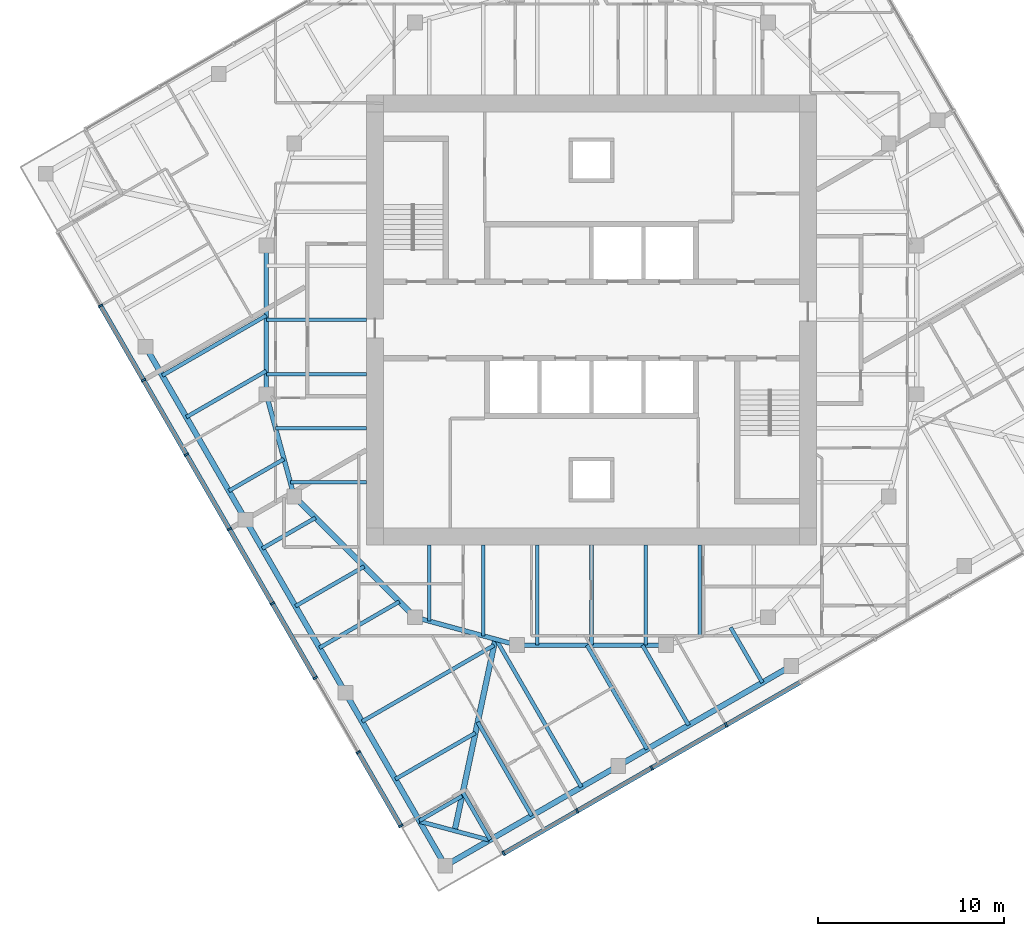
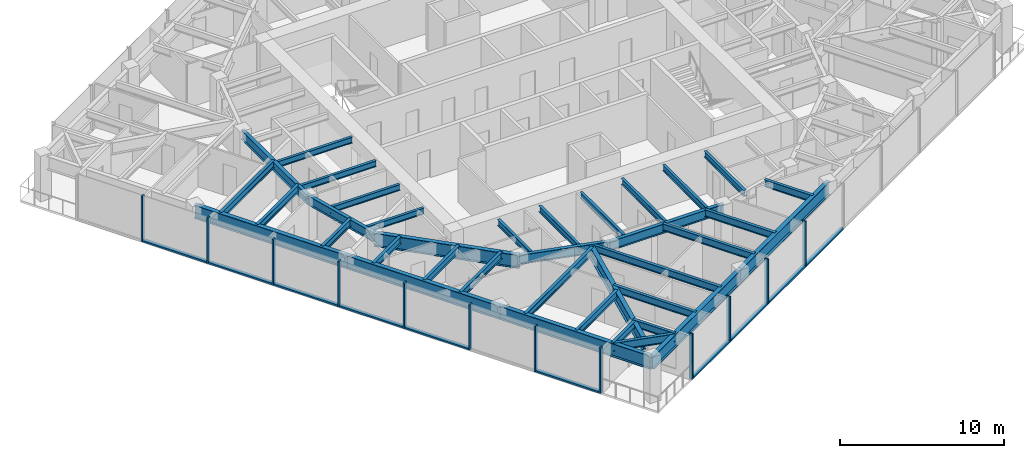
# One storey, part 2 of 13: 37 beams, 22 members, 2 elements without a shape of their own.
"""IFC4 building model written with IfcOpenShell, lengths in metres."""

from ifc_helpers import new_model, si_unit, direction, frame, origin, origin_2d, place, context, subcontext, project, spatial, rectangle, i_section, extrude, material, material_profile, profile_set, type_object, element, aggregate, save


model = new_model("IFC4")

# Units and contexts
model_context = context("Model", 3, precision=1e-05, world=origin(), true_north=direction((0.0, 1.0)))
body_context = subcontext(model_context, "Body", "Model", "MODEL_VIEW")
ifc_project = project(units=[si_unit("LENGTHUNIT", "METRE"), si_unit("AREAUNIT", "SQUARE_METRE"), si_unit("VOLUMEUNIT", "CUBIC_METRE"), si_unit("PLANEANGLEUNIT", "RADIAN"), si_unit("MASSUNIT", "GRAM", prefix="KILO")], contexts=[model_context])

# Site, building, storey
site_placement = place(None, origin())
site = spatial("IfcSite", under=ifc_project, at=site_placement, CompositionType="ELEMENT")
building_placement = place(site_placement, origin())
building = spatial("IfcBuilding", under=site, at=building_placement, Name="Torsade Residences", CompositionType="ELEMENT")
storey_placement = place(building_placement, frame((0.0, 0.0, 208.199951171875)))
storey = spatial("IfcBuildingStorey", under=building, at=storey_placement, Name="L57", CompositionType="ELEMENT", Elevation=208.199951171875)

# Beams
ifc_material_1 = material(Name="Steel grade 300", Category="steel")
ifc_material_profile_1 = material_profile(ifc_material_1, i_section(OverallWidth=0.300048828125, OverallDepth=0.89990234375, WebThickness=0.011962890625, FlangeThickness=0.02490234375, at=origin_2d()), Name="900WB175")
ifc_profile_set_1 = profile_set([ifc_material_profile_1], Name="Steel grade 300")
beam_type_1 = type_object("IfcBeamType", Name="CORNER GIRDER 900WB175", PredefinedType="BEAM", material=ifc_profile_set_1)
beam_1_placement = place(storey_placement, frame((32.6337890625, 2.5087890625, 2.800048828125), z_axis=(0.20806427425, 0.978115155685, 0.0), x_axis=(-0.978115155685, 0.20806427425, 0.0)))
element("IfcBeam", 1, at=beam_1_placement, inside=storey, type_object=beam_type_1, Name="Corner girder 01 L58", PredefinedType="BEAM", context=body_context, shape_type="SweptSolid", body=[
    extrude(i_section(OverallWidth=0.300048828125, OverallDepth=0.89990234375, WebThickness=0.011962890625, FlangeThickness=0.02490234375, at=origin_2d()), origin(), (0.0, 0.0, 1.0), 10.541748046875),
])
ifc_material_2 = material(Name="Steel grade 300", Category="steel")
ifc_material_profile_2 = material_profile(ifc_material_2, i_section(OverallWidth=0.22802734375, OverallDepth=0.60205078125, WebThickness=0.010498046875, FlangeThickness=0.014892578125, FilletRadius=0.013916015625, at=origin_2d()), Name="610UB101")
ifc_profile_set_2 = profile_set([ifc_material_profile_2], Name="Steel grade 300")
beam_type_2 = type_object("IfcBeamType", Name="CORNER TRIMMER 610UB101", PredefinedType="BEAM", material=ifc_profile_set_2)
beam_2_placement = place(storey_placement, frame((34.511962890625, 2.00537109375, 2.948974609375), z_axis=(-0.965924794002, 0.258822897619, 0.0), x_axis=(-0.258822897619, -0.965924794002, 0.0)))
element("IfcBeam", 2, at=beam_2_placement, inside=storey, type_object=beam_type_2, Name="Corner trimmer 01 L58", PredefinedType="BEAM", context=body_context, shape_type="SweptSolid", body=[
    extrude(i_section(OverallWidth=0.22802734375, OverallDepth=0.60205078125, WebThickness=0.010498046875, FlangeThickness=0.014892578125, FilletRadius=0.013916015625, at=origin_2d()), origin(), (0.0, 0.0, 1.0), 3.88916015625),
])
ifc_material_3 = material(Name="Steel grade 300", Category="steel")
ifc_material_profile_3 = material_profile(ifc_material_3, i_section(OverallWidth=0.300048828125, OverallDepth=1.0, WebThickness=0.01611328125, FlangeThickness=0.028076171875, at=origin_2d()), Name="1000WB215")
ifc_profile_set_3 = profile_set([ifc_material_profile_3], Name="Steel grade 300")
beam_type_3 = type_object("IfcBeamType", Name="EDGE BEAM 1000WB215", PredefinedType="SPANDREL", material=ifc_profile_set_3)
for number, where, z_axis, x_axis, name in (
    (3, (32.13037109375, 0.63037109375, 2.75), (0.866026365697, 0.499998333915, 0.0), (-0.499998333915, 0.866026365697, 0.0), "Edge beam 01 L58"),
    (4, (41.440185546875, 6.00537109375, 2.75), (0.866026365697, 0.499998333915, 0.0), (-0.499998333915, 0.866026365697, 0.0), "Edge beam 02 L58"),
    (5, (16.00537109375, 28.559814453125, 2.75), (0.499998333915, -0.866026365697, 0.0), (0.866026365697, 0.499998333915, 0.0), "Edge beam 14 L58"),
    (6, (21.38037109375, 19.25, 2.75), (0.499998333915, -0.866026365697, 0.0), (0.866026365697, 0.499998333915, 0.0), "Edge beam 15 L58"),
    (7, (26.75537109375, 9.940185546875, 2.75), (0.499998333915, -0.866026365697, 0.0), (0.866026365697, 0.499998333915, 0.0), "Edge beam 16 L58"),
):
    element("IfcBeam", number, at=place(storey_placement, frame(where, z_axis=z_axis, x_axis=x_axis)), inside=storey, type_object=beam_type_3, Name=name, PredefinedType="SPANDREL", context=body_context, shape_type="SweptSolid", body=[
        extrude(i_section(OverallWidth=0.300048828125, OverallDepth=1.0, WebThickness=0.01611328125, FlangeThickness=0.028076171875, at=origin_2d()), origin(), (0.0, 0.0, 1.0), 10.75),
    ])

# Curtain wall, members
ifc_material_4 = material(Name="Aluminium and glass", Category="aluminium")
curtain_wall_type = type_object("IfcCurtainWallType", Name="FRITTED GLASS CURTAIN WALL HIGH ZONE", PredefinedType="NOTDEFINED", material=ifc_material_4)
curtain_wall_1_placement = place(storey_placement, origin())
curtain_wall_1 = element("IfcCurtainWall", 8, at=curtain_wall_1_placement, inside=storey, type_object=curtain_wall_type, Name="Curtain wall L57 face 1", PredefinedType="NOTDEFINED")
ifc_material_5 = material(Name="Aluminium mullion", Category="aluminium")
ifc_material_profile_4 = material_profile(ifc_material_5, rectangle(XDim=0.25, YDim=0.10009765625, at=origin_2d()), Name="HIGH ZONE CURTAIN WALL MULLION 250x100")
ifc_profile_set_4 = profile_set([ifc_material_profile_4], Name="Aluminium mullion")
member_type_1 = type_object("IfcMemberType", Name="HIGH ZONE CURTAIN WALL MULLION 250x100", PredefinedType="MULLION", material=ifc_profile_set_4)
member_1_placement = place(storey_placement, frame((35.271728515625, 1.289306640625, 0.0), z_axis=(0.0, 0.0, 1.0), x_axis=(-0.499999999305, 0.866025404186, 0.0)))
member_1 = element("IfcMember", 9, at=member_1_placement, type_object=member_type_1, Name="Mullion 1", PredefinedType="MULLION", context=body_context, shape_type="SweptSolid", body=[
    extrude(rectangle(XDim=0.25, YDim=0.10009765625, at=origin_2d()), origin(), (0.0, 0.0, 1.0), 3.400146484375),
])
member_2_placement = place(storey_placement, frame((39.23388671875, 3.576904296875, 0.0), z_axis=(0.0, 0.0, 1.0), x_axis=(-0.499999999305, 0.866025404186, 0.0)))
member_2 = element("IfcMember", 10, at=member_2_placement, type_object=member_type_1, Name="Mullion 2", PredefinedType="MULLION", context=body_context, shape_type="SweptSolid", body=[
    extrude(rectangle(XDim=0.25, YDim=0.10009765625, at=origin_2d()), origin(), (0.0, 0.0, 1.0), 3.400146484375),
])
member_3_placement = place(storey_placement, frame((43.2392578125, 5.889404296875, 0.0), z_axis=(0.0, 0.0, 1.0), x_axis=(-0.499999999305, 0.866025404186, 0.0)))
member_3 = element("IfcMember", 11, at=member_3_placement, type_object=member_type_1, Name="Mullion 3", PredefinedType="MULLION", context=body_context, shape_type="SweptSolid", body=[
    extrude(rectangle(XDim=0.25, YDim=0.10009765625, at=origin_2d()), origin(), (0.0, 0.0, 1.0), 3.400146484375),
])
member_4_placement = place(storey_placement, frame((47.24462890625, 8.201904296875, 0.0), z_axis=(0.0, 0.0, 1.0), x_axis=(-0.499999999305, 0.866025404186, 0.0)))
member_4 = element("IfcMember", 12, at=member_4_placement, type_object=member_type_1, Name="Mullion 4", PredefinedType="MULLION", context=body_context, shape_type="SweptSolid", body=[
    extrude(rectangle(XDim=0.25, YDim=0.10009765625, at=origin_2d()), origin(), (0.0, 0.0, 1.0), 3.400146484375),
])

curtain_wall_2_placement = place(storey_placement, origin())
curtain_wall_2 = element("IfcCurtainWall", 13, at=curtain_wall_2_placement, inside=storey, type_object=curtain_wall_type, Name="Curtain wall L57 face 10", PredefinedType="NOTDEFINED")
member_5_placement = place(storey_placement, frame((13.576904296875, 30.76611328125, 0.0), z_axis=(0.0, 0.0, 1.0), x_axis=(0.866025404186, 0.499999999305, 0.0)))
member_5 = element("IfcMember", 14, at=member_5_placement, type_object=member_type_1, Name="Mullion 2", PredefinedType="MULLION", context=body_context, shape_type="SweptSolid", body=[
    extrude(rectangle(XDim=0.25, YDim=0.10009765625, at=origin_2d()), origin(), (0.0, 0.0, 1.0), 3.400146484375),
])
member_6_placement = place(storey_placement, frame((15.889404296875, 26.7607421875, 0.0), z_axis=(0.0, 0.0, 1.0), x_axis=(0.866025404186, 0.499999999305, 0.0)))
member_6 = element("IfcMember", 15, at=member_6_placement, type_object=member_type_1, Name="Mullion 3", PredefinedType="MULLION", context=body_context, shape_type="SweptSolid", body=[
    extrude(rectangle(XDim=0.25, YDim=0.10009765625, at=origin_2d()), origin(), (0.0, 0.0, 1.0), 3.400146484375),
])
member_7_placement = place(storey_placement, frame((18.201904296875, 22.75537109375, 0.0), z_axis=(0.0, 0.0, 1.0), x_axis=(0.866025404186, 0.499999999305, 0.0)))
member_7 = element("IfcMember", 16, at=member_7_placement, type_object=member_type_1, Name="Mullion 4", PredefinedType="MULLION", context=body_context, shape_type="SweptSolid", body=[
    extrude(rectangle(XDim=0.25, YDim=0.10009765625, at=origin_2d()), origin(), (0.0, 0.0, 1.0), 3.400146484375),
])
member_8_placement = place(storey_placement, frame((20.514404296875, 18.75, 0.0), z_axis=(0.0, 0.0, 1.0), x_axis=(0.866025404186, 0.499999999305, 0.0)))
member_8 = element("IfcMember", 17, at=member_8_placement, type_object=member_type_1, Name="Mullion 5", PredefinedType="MULLION", context=body_context, shape_type="SweptSolid", body=[
    extrude(rectangle(XDim=0.25, YDim=0.10009765625, at=origin_2d()), origin(), (0.0, 0.0, 1.0), 3.400146484375),
])
member_9_placement = place(storey_placement, frame((22.826904296875, 14.74462890625, 0.0), z_axis=(0.0, 0.0, 1.0), x_axis=(0.866025404186, 0.499999999305, 0.0)))
member_9 = element("IfcMember", 18, at=member_9_placement, type_object=member_type_1, Name="Mullion 6", PredefinedType="MULLION", context=body_context, shape_type="SweptSolid", body=[
    extrude(rectangle(XDim=0.25, YDim=0.10009765625, at=origin_2d()), origin(), (0.0, 0.0, 1.0), 3.400146484375),
])
member_10_placement = place(storey_placement, frame((25.139404296875, 10.7392578125, 0.0), z_axis=(0.0, 0.0, 1.0), x_axis=(0.866025404186, 0.499999999305, 0.0)))
member_10 = element("IfcMember", 19, at=member_10_placement, type_object=member_type_1, Name="Mullion 7", PredefinedType="MULLION", context=body_context, shape_type="SweptSolid", body=[
    extrude(rectangle(XDim=0.25, YDim=0.10009765625, at=origin_2d()), origin(), (0.0, 0.0, 1.0), 3.400146484375),
])
member_11_placement = place(storey_placement, frame((27.451904296875, 6.73388671875, 0.0), z_axis=(0.0, 0.0, 1.0), x_axis=(0.866025404186, 0.499999999305, 0.0)))
member_11 = element("IfcMember", 20, at=member_11_placement, type_object=member_type_1, Name="Mullion 8", PredefinedType="MULLION", context=body_context, shape_type="SweptSolid", body=[
    extrude(rectangle(XDim=0.25, YDim=0.10009765625, at=origin_2d()), origin(), (0.0, 0.0, 1.0), 3.400146484375),
])
member_12_placement = place(storey_placement, frame((29.739501953125, 2.771728515625, 0.0), z_axis=(0.0, 0.0, 1.0), x_axis=(0.866025404186, 0.499999999305, 0.0)))
member_12 = element("IfcMember", 21, at=member_12_placement, type_object=member_type_1, Name="Mullion 9", PredefinedType="MULLION", context=body_context, shape_type="SweptSolid", body=[
    extrude(rectangle(XDim=0.25, YDim=0.10009765625, at=origin_2d()), origin(), (0.0, 0.0, 1.0), 3.400146484375),
])

# Member
ifc_material_6 = material(Name="Aluminium transom", Category="aluminium")
ifc_material_profile_5 = material_profile(ifc_material_6, rectangle(XDim=0.25, YDim=0.1201171875, at=origin_2d()), Name="HIGH ZONE CURTAIN WALL TRANSOM 250x120")
ifc_profile_set_5 = profile_set([ifc_material_profile_5], Name="Aluminium transom")
member_type_2 = type_object("IfcMemberType", Name="HIGH ZONE CURTAIN WALL TRANSOM 250x120", PredefinedType="USERDEFINED", material=ifc_profile_set_5)
member_13_placement = place(storey_placement, frame((35.315185546875, 1.314453125, 0.06005859375), z_axis=(0.866022053326, 0.50000580312, 0.0), x_axis=(-0.50000580312, 0.866022053326, 0.0)))
member_13 = element("IfcMember", 22, at=member_13_placement, type_object=member_type_2, Name="Transom 1.1", ObjectType="TRANSOM", PredefinedType="USERDEFINED", context=body_context, shape_type="SweptSolid", body=[
    extrude(rectangle(XDim=0.25, YDim=0.1201171875, at=origin_2d()), origin(), (0.0, 0.0, 1.0), 4.47509765625),
])

member_14_placement = place(storey_placement, frame((39.277099609375, 3.601806640625, 0.06005859375), z_axis=(0.866016678684, 0.500015112013, 0.0), x_axis=(-0.500015112013, 0.866016678684, 0.0)))
member_14 = element("IfcMember", 23, at=member_14_placement, type_object=member_type_2, Name="Transom 2.1", ObjectType="TRANSOM", PredefinedType="USERDEFINED", context=body_context, shape_type="SweptSolid", body=[
    extrude(rectangle(XDim=0.25, YDim=0.1201171875, at=origin_2d()), origin(), (0.0, 0.0, 1.0), 4.525146484375),
])

member_15_placement = place(storey_placement, frame((43.282470703125, 5.914306640625, 0.06005859375), z_axis=(0.866016678684, 0.500015112013, 0.0), x_axis=(-0.500015112013, 0.866016678684, 0.0)))
member_15 = element("IfcMember", 24, at=member_15_placement, type_object=member_type_2, Name="Transom 3.1", ObjectType="TRANSOM", PredefinedType="USERDEFINED", context=body_context, shape_type="SweptSolid", body=[
    extrude(rectangle(XDim=0.25, YDim=0.1201171875, at=origin_2d()), origin(), (0.0, 0.0, 1.0), 4.525146484375),
])

member_16_placement = place(storey_placement, frame((47.287841796875, 8.226806640625, 0.06005859375), z_axis=(0.866016678684, 0.500015112013, 0.0), x_axis=(-0.500015112013, 0.866016678684, 0.0)))
member_16 = element("IfcMember", 25, at=member_16_placement, type_object=member_type_2, Name="Transom 4.1", ObjectType="TRANSOM", PredefinedType="USERDEFINED", context=body_context, shape_type="SweptSolid", body=[
    extrude(rectangle(XDim=0.25, YDim=0.1201171875, at=origin_2d()), origin(), (0.0, 0.0, 1.0), 4.525146484375),
])

aggregate(curtain_wall_1, [member_1, member_2, member_3, member_4, member_13, member_14, member_15, member_16])

member_17_placement = place(storey_placement, frame((13.601806640625, 30.722900390625, 0.06005859375), z_axis=(0.500015112013, -0.866016678684, 0.0), x_axis=(0.866016678684, 0.500015112013, 0.0)))
member_17 = element("IfcMember", 26, at=member_17_placement, type_object=member_type_2, Name="Transom 2.1", ObjectType="TRANSOM", PredefinedType="USERDEFINED", context=body_context, shape_type="SweptSolid", body=[
    extrude(rectangle(XDim=0.25, YDim=0.1201171875, at=origin_2d()), origin(), (0.0, 0.0, 1.0), 4.525146484375),
])

member_18_placement = place(storey_placement, frame((15.914306640625, 26.717529296875, 0.06005859375), z_axis=(0.500015112013, -0.866016678684, 0.0), x_axis=(0.866016678684, 0.500015112013, 0.0)))
member_18 = element("IfcMember", 27, at=member_18_placement, type_object=member_type_2, Name="Transom 3.1", ObjectType="TRANSOM", PredefinedType="USERDEFINED", context=body_context, shape_type="SweptSolid", body=[
    extrude(rectangle(XDim=0.25, YDim=0.1201171875, at=origin_2d()), origin(), (0.0, 0.0, 1.0), 4.525146484375),
])

member_19_placement = place(storey_placement, frame((18.226806640625, 22.712158203125, 0.06005859375), z_axis=(0.500015112013, -0.866016678684, 0.0), x_axis=(0.866016678684, 0.500015112013, 0.0)))
member_19 = element("IfcMember", 28, at=member_19_placement, type_object=member_type_2, Name="Transom 4.1", ObjectType="TRANSOM", PredefinedType="USERDEFINED", context=body_context, shape_type="SweptSolid", body=[
    extrude(rectangle(XDim=0.25, YDim=0.1201171875, at=origin_2d()), origin(), (0.0, 0.0, 1.0), 4.525146484375),
])

member_20_placement = place(storey_placement, frame((20.539306640625, 18.706787109375, 0.06005859375), z_axis=(0.500015112013, -0.866016678684, 0.0), x_axis=(0.866016678684, 0.500015112013, 0.0)))
member_20 = element("IfcMember", 29, at=member_20_placement, type_object=member_type_2, Name="Transom 5.1", ObjectType="TRANSOM", PredefinedType="USERDEFINED", context=body_context, shape_type="SweptSolid", body=[
    extrude(rectangle(XDim=0.25, YDim=0.1201171875, at=origin_2d()), origin(), (0.0, 0.0, 1.0), 4.525146484375),
])

member_21_placement = place(storey_placement, frame((22.851806640625, 14.701416015625, 0.06005859375), z_axis=(0.500015112013, -0.866016678684, 0.0), x_axis=(0.866016678684, 0.500015112013, 0.0)))
member_21 = element("IfcMember", 30, at=member_21_placement, type_object=member_type_2, Name="Transom 6.1", ObjectType="TRANSOM", PredefinedType="USERDEFINED", context=body_context, shape_type="SweptSolid", body=[
    extrude(rectangle(XDim=0.25, YDim=0.1201171875, at=origin_2d()), origin(), (0.0, 0.0, 1.0), 4.525146484375),
])

member_22_placement = place(storey_placement, frame((27.476806640625, 6.690673828125, 0.06005859375), z_axis=(0.50000580312, -0.866022053326, 0.0), x_axis=(0.866022053326, 0.50000580312, 0.0)))
member_22 = element("IfcMember", 31, at=member_22_placement, type_object=member_type_2, Name="Transom 8.1", ObjectType="TRANSOM", PredefinedType="USERDEFINED", context=body_context, shape_type="SweptSolid", body=[
    extrude(rectangle(XDim=0.25, YDim=0.1201171875, at=origin_2d()), origin(), (0.0, 0.0, 1.0), 4.47509765625),
])

aggregate(curtain_wall_2, [member_5, member_6, member_7, member_8, member_9, member_10, member_11, member_12, member_17, member_18, member_19, member_20, member_21, member_22])

# Beams
ifc_material_7 = material(Name="Steel grade 300", Category="steel")
ifc_material_profile_6 = material_profile(ifc_material_7, i_section(OverallWidth=0.18994140625, OverallDepth=0.4541015625, WebThickness=0.008544921875, FlangeThickness=0.0126953125, FilletRadius=0.011474609375, at=origin_2d()), Name="460UB67.1")
ifc_profile_set_6 = profile_set([ifc_material_profile_6], Name="Steel grade 300")
beam_type_4 = type_object("IfcBeamType", Name="INNER FLOOR BEAM 460UB67.1", PredefinedType="JOIST", material=ifc_profile_set_6)
beam_3_placement = place(storey_placement, frame((45.824951171875, 17.89990234375, 3.02294921875), z_axis=(0.0, -1.0, 0.0), x_axis=(1.0, 0.0, 0.0)))
element("IfcBeam", 32, at=beam_3_placement, inside=storey, type_object=beam_type_4, Name="Inner floor beam IS02 L58", PredefinedType="JOIST", context=body_context, shape_type="SweptSolid", body=[
    extrude(i_section(OverallWidth=0.18994140625, OverallDepth=0.4541015625, WebThickness=0.008544921875, FlangeThickness=0.0126953125, FilletRadius=0.011474609375, at=origin_2d()), origin(), (0.0, 0.0, 1.0), 4.902099609375),
])
for number, where, z_axis, x_axis, name in (
    (33, (42.91259765625, 17.89990234375, 3.02294921875), (0.0, -1.0, 0.0), (1.0, 0.0, 0.0), "Inner floor beam IS03 L58"),
    (34, (40.0, 17.89990234375, 3.02294921875), (0.0, -1.0, 0.0), (1.0, 0.0, 0.0), "Inner floor beam IS04 L58"),
    (35, (37.08740234375, 17.89990234375, 3.02294921875), (0.0, -1.0, 0.0), (1.0, 0.0, 0.0), "Inner floor beam IS05 L58"),
):
    element("IfcBeam", number, at=place(storey_placement, frame(where, z_axis=z_axis, x_axis=x_axis)), inside=storey, type_object=beam_type_4, Name=name, PredefinedType="JOIST", context=body_context, shape_type="SweptSolid", body=[
        extrude(i_section(OverallWidth=0.18994140625, OverallDepth=0.4541015625, WebThickness=0.008544921875, FlangeThickness=0.0126953125, FilletRadius=0.011474609375, at=origin_2d()), origin(), (0.0, 0.0, 1.0), 5.39990234375),
    ])
beam_4_placement = place(storey_placement, frame((34.175048828125, 17.89990234375, 3.02294921875), z_axis=(0.0, -1.0, 0.0), x_axis=(1.0, 0.0, 0.0)))
element("IfcBeam", 36, at=beam_4_placement, inside=storey, type_object=beam_type_4, Name="Inner floor beam IS06 L58", PredefinedType="JOIST", context=body_context, shape_type="SweptSolid", body=[
    extrude(i_section(OverallWidth=0.18994140625, OverallDepth=0.4541015625, WebThickness=0.008544921875, FlangeThickness=0.0126953125, FilletRadius=0.011474609375, at=origin_2d()), origin(), (0.0, 0.0, 1.0), 4.902099609375),
])
beam_5_placement = place(storey_placement, frame((31.262451171875, 17.89990234375, 3.02294921875), z_axis=(0.0, -1.0, 0.0), x_axis=(1.0, 0.0, 0.0)))
element("IfcBeam", 37, at=beam_5_placement, inside=storey, type_object=beam_type_4, Name="Inner floor beam IS07 L58", PredefinedType="JOIST", context=body_context, shape_type="SweptSolid", body=[
    extrude(i_section(OverallWidth=0.18994140625, OverallDepth=0.4541015625, WebThickness=0.008544921875, FlangeThickness=0.0126953125, FilletRadius=0.011474609375, at=origin_2d()), origin(), (0.0, 0.0, 1.0), 4.10791015625),
])
for number, where, z_axis, x_axis, name in (
    (38, (27.89990234375, 30.0, 3.02294921875), (-1.0, 0.0, 0.0), (0.0, -1.0, 0.0), "Inner floor beam IW04 L58"),
    (39, (27.89990234375, 27.08740234375, 3.02294921875), (-1.0, 0.0, 0.0), (0.0, -1.0, 0.0), "Inner floor beam IW05 L58"),
):
    element("IfcBeam", number, at=place(storey_placement, frame(where, z_axis=z_axis, x_axis=x_axis)), inside=storey, type_object=beam_type_4, Name=name, PredefinedType="JOIST", context=body_context, shape_type="SweptSolid", body=[
        extrude(i_section(OverallWidth=0.18994140625, OverallDepth=0.4541015625, WebThickness=0.008544921875, FlangeThickness=0.0126953125, FilletRadius=0.011474609375, at=origin_2d()), origin(), (0.0, 0.0, 1.0), 5.39990234375),
    ])
beam_6_placement = place(storey_placement, frame((27.89990234375, 24.175048828125, 3.02294921875), z_axis=(-1.0, 0.0, 0.0), x_axis=(0.0, -1.0, 0.0)))
element("IfcBeam", 40, at=beam_6_placement, inside=storey, type_object=beam_type_4, Name="Inner floor beam IW06 L58", PredefinedType="JOIST", context=body_context, shape_type="SweptSolid", body=[
    extrude(i_section(OverallWidth=0.18994140625, OverallDepth=0.4541015625, WebThickness=0.008544921875, FlangeThickness=0.0126953125, FilletRadius=0.011474609375, at=origin_2d()), origin(), (0.0, 0.0, 1.0), 4.902099609375),
])
beam_7_placement = place(storey_placement, frame((27.89990234375, 21.262451171875, 3.02294921875), z_axis=(-1.0, 0.0, 0.0), x_axis=(0.0, -1.0, 0.0)))
element("IfcBeam", 41, at=beam_7_placement, inside=storey, type_object=beam_type_4, Name="Inner floor beam IW07 L58", PredefinedType="JOIST", context=body_context, shape_type="SweptSolid", body=[
    extrude(i_section(OverallWidth=0.18994140625, OverallDepth=0.4541015625, WebThickness=0.008544921875, FlangeThickness=0.0126953125, FilletRadius=0.011474609375, at=origin_2d()), origin(), (0.0, 0.0, 1.0), 4.10791015625),
])
ifc_material_8 = material(Name="Steel grade 300", Category="steel")
ifc_material_profile_7 = material_profile(ifc_material_8, i_section(OverallWidth=0.300048828125, OverallDepth=1.0, WebThickness=0.01611328125, FlangeThickness=0.028076171875, at=origin_2d()), Name="1000WB215")
ifc_profile_set_7 = profile_set([ifc_material_profile_7], Name="Steel grade 300")
beam_type_5 = type_object("IfcBeamType", Name="RING CORNER GIRDER 1000WB215", PredefinedType="BEAM", material=ifc_profile_set_7)
beam_8_placement = place(storey_placement, frame((24.0, 20.5, 2.75), z_axis=(0.707106781187, -0.707106781187, 0.0), x_axis=(0.707106781187, 0.707106781187, 0.0)))
element("IfcBeam", 42, at=beam_8_placement, inside=storey, type_object=beam_type_5, Name="Ring girder IR11 L58", PredefinedType="BEAM", context=body_context, shape_type="SweptSolid", body=[
    extrude(i_section(OverallWidth=0.300048828125, OverallDepth=1.0, WebThickness=0.01611328125, FlangeThickness=0.028076171875, at=origin_2d()), origin(), (0.0, 0.0, 1.0), 9.1923828125),
])
ifc_material_9 = material(Name="Steel grade 300", Category="steel")
ifc_material_profile_8 = material_profile(ifc_material_9, i_section(OverallWidth=0.25, OverallDepth=0.699951171875, WebThickness=0.010009765625, FlangeThickness=0.02001953125, at=origin_2d()), Name="700WB130")
ifc_profile_set_8 = profile_set([ifc_material_profile_8], Name="Steel grade 300")
beam_type_6 = type_object("IfcBeamType", Name="RING GIRDER 700WB130", PredefinedType="BEAM", material=ifc_profile_set_8)
beam_9_placement = place(storey_placement, frame((22.5, 34.0, 2.900146484375), z_axis=(0.0, -1.0, 0.0), x_axis=(1.0, 0.0, 0.0)))
element("IfcBeam", 43, at=beam_9_placement, inside=storey, type_object=beam_type_6, Name="Ring girder IR09 L58", PredefinedType="BEAM", context=body_context, shape_type="SweptSolid", body=[
    extrude(i_section(OverallWidth=0.25, OverallDepth=0.699951171875, WebThickness=0.010009765625, FlangeThickness=0.02001953125, at=origin_2d()), origin(), (0.0, 0.0, 1.0), 8.0),
])
for number, where, z_axis, x_axis, name in (
    (44, (22.5, 26.0, 2.900146484375), (0.263117405792, -0.964763821238, 0.0), (0.964763821238, 0.263117405792, 0.0), "Ring girder IR10 L58"),
    (45, (30.5, 14.0, 2.900146484375), (0.964763821238, -0.263117405792, 0.0), (0.263117405792, 0.964763821238, 0.0), "Ring girder IR12 L58"),
):
    element("IfcBeam", number, at=place(storey_placement, frame(where, z_axis=z_axis, x_axis=x_axis)), inside=storey, type_object=beam_type_6, Name=name, PredefinedType="BEAM", context=body_context, shape_type="SweptSolid", body=[
        extrude(i_section(OverallWidth=0.25, OverallDepth=0.699951171875, WebThickness=0.010009765625, FlangeThickness=0.02001953125, at=origin_2d()), origin(), (0.0, 0.0, 1.0), 5.700927734375),
    ])
beam_10_placement = place(storey_placement, frame((36.0, 12.5, 2.900146484375), z_axis=(1.0, 0.0, 0.0), x_axis=(0.0, 1.0, 0.0)))
element("IfcBeam", 46, at=beam_10_placement, inside=storey, type_object=beam_type_6, Name="Ring girder IR13 L58", PredefinedType="BEAM", context=body_context, shape_type="SweptSolid", body=[
    extrude(i_section(OverallWidth=0.25, OverallDepth=0.699951171875, WebThickness=0.010009765625, FlangeThickness=0.02001953125, at=origin_2d()), origin(), (0.0, 0.0, 1.0), 8.0),
])
ifc_material_10 = material(Name="Steel grade 300", Category="steel")
ifc_material_profile_9 = material_profile(ifc_material_10, i_section(OverallWidth=0.208984375, OverallDepth=0.528076171875, WebThickness=0.009521484375, FlangeThickness=0.01318359375, FilletRadius=0.013916015625, at=origin_2d()), Name="530UB82.0")
ifc_profile_set_9 = profile_set([ifc_material_profile_9], Name="Steel grade 300")
beam_type_7 = type_object("IfcBeamType", Name="SECONDARY BEAM 530UB82.0", PredefinedType="JOIST", material=ifc_profile_set_9)
beam_11_placement = place(storey_placement, frame((34.548095703125, 2.0263671875, 2.986083984375), z_axis=(-0.500014013, 0.866017313224, 0.0), x_axis=(-0.866017313224, -0.500014013, 0.0)))
element("IfcBeam", 47, at=beam_11_placement, inside=storey, type_object=beam_type_7, Name="Floor beam FS01 L58", PredefinedType="JOIST", context=body_context, shape_type="SweptSolid", body=[
    extrude(i_section(OverallWidth=0.208984375, OverallDepth=0.528076171875, WebThickness=0.009521484375, FlangeThickness=0.01318359375, FilletRadius=0.013916015625, at=origin_2d()), origin(), (0.0, 0.0, 1.0), 2.94775390625),
])
beam_12_placement = place(storey_placement, frame((36.785400390625, 3.31787109375, 2.986083984375), z_axis=(-0.499990133118, 0.866031100357, 0.0), x_axis=(-0.866031100357, -0.499990133118, 0.0)))
element("IfcBeam", 48, at=beam_12_placement, inside=storey, type_object=beam_type_7, Name="Floor beam FS02 L58", PredefinedType="JOIST", context=body_context, shape_type="SweptSolid", body=[
    extrude(i_section(OverallWidth=0.208984375, OverallDepth=0.528076171875, WebThickness=0.009521484375, FlangeThickness=0.01318359375, FilletRadius=0.013916015625, at=origin_2d()), origin(), (0.0, 0.0, 1.0), 5.81591796875),
])
beam_13_placement = place(storey_placement, frame((39.45556640625, 4.859619140625, 2.986083984375), z_axis=(-0.500006393711, 0.866021712342, 0.0), x_axis=(-0.866021712342, -0.500006393711, 0.0)))
element("IfcBeam", 49, at=beam_13_placement, inside=storey, type_object=beam_type_7, Name="Floor beam FS03 L58", PredefinedType="JOIST", context=body_context, shape_type="SweptSolid", body=[
    extrude(i_section(OverallWidth=0.208984375, OverallDepth=0.528076171875, WebThickness=0.009521484375, FlangeThickness=0.01318359375, FilletRadius=0.013916015625, at=origin_2d()), origin(), (0.0, 0.0, 1.0), 9.1796875),
])
beam_14_placement = place(storey_placement, frame((42.991943359375, 6.9013671875, 2.986083984375), z_axis=(-0.500005767435, 0.866022073929, 0.0), x_axis=(-0.866022073929, -0.500005767435, 0.0)))
element("IfcBeam", 50, at=beam_14_placement, inside=storey, type_object=beam_type_7, Name="Floor beam FS04 L58", PredefinedType="JOIST", context=body_context, shape_type="SweptSolid", body=[
    extrude(i_section(OverallWidth=0.208984375, OverallDepth=0.528076171875, WebThickness=0.009521484375, FlangeThickness=0.01318359375, FilletRadius=0.013916015625, at=origin_2d()), origin(), (0.0, 0.0, 1.0), 6.46484375),
])
beam_15_placement = place(storey_placement, frame((45.22900390625, 8.19287109375, 2.986083984375), z_axis=(-0.499977414361, 0.866038443216, 0.0), x_axis=(-0.866038443216, -0.499977414361, 0.0)))
element("IfcBeam", 51, at=beam_15_placement, inside=storey, type_object=beam_type_7, Name="Floor beam FS05 L58", PredefinedType="JOIST", context=body_context, shape_type="SweptSolid", body=[
    extrude(i_section(OverallWidth=0.208984375, OverallDepth=0.528076171875, WebThickness=0.009521484375, FlangeThickness=0.01318359375, FilletRadius=0.013916015625, at=origin_2d()), origin(), (0.0, 0.0, 1.0), 4.973388671875),
])
beam_16_placement = place(storey_placement, frame((49.198486328125, 10.484619140625, 2.986083984375), z_axis=(-0.500041249073, 0.866001587311, 0.0), x_axis=(-0.866001587311, -0.500041249073, 0.0)))
element("IfcBeam", 52, at=beam_16_placement, inside=storey, type_object=beam_type_7, Name="Floor beam FS06 L58", PredefinedType="JOIST", context=body_context, shape_type="SweptSolid", body=[
    extrude(i_section(OverallWidth=0.208984375, OverallDepth=0.528076171875, WebThickness=0.009521484375, FlangeThickness=0.01318359375, FilletRadius=0.013916015625, at=origin_2d()), origin(), (0.0, 0.0, 1.0), 3.425048828125),
])
beam_17_placement = place(storey_placement, frame((16.9013671875, 27.008056640625, 2.986083984375), z_axis=(0.866022073929, 0.500005767435, 0.0), x_axis=(-0.500005767435, 0.866022073929, 0.0)))
element("IfcBeam", 53, at=beam_17_placement, inside=storey, type_object=beam_type_7, Name="Floor beam FW04 L58", PredefinedType="JOIST", context=body_context, shape_type="SweptSolid", body=[
    extrude(i_section(OverallWidth=0.208984375, OverallDepth=0.528076171875, WebThickness=0.009521484375, FlangeThickness=0.01318359375, FilletRadius=0.013916015625, at=origin_2d()), origin(), (0.0, 0.0, 1.0), 6.46484375),
])
beam_18_placement = place(storey_placement, frame((18.19287109375, 24.77099609375, 2.986083984375), z_axis=(0.866038443216, 0.499977414361, 0.0), x_axis=(-0.499977414361, 0.866038443216, 0.0)))
element("IfcBeam", 54, at=beam_18_placement, inside=storey, type_object=beam_type_7, Name="Floor beam FW05 L58", PredefinedType="JOIST", context=body_context, shape_type="SweptSolid", body=[
    extrude(i_section(OverallWidth=0.208984375, OverallDepth=0.528076171875, WebThickness=0.009521484375, FlangeThickness=0.01318359375, FilletRadius=0.013916015625, at=origin_2d()), origin(), (0.0, 0.0, 1.0), 4.973388671875),
])
beam_19_placement = place(storey_placement, frame((20.484619140625, 20.801513671875, 2.986083984375), z_axis=(0.866001587311, 0.500041249073, 0.0), x_axis=(-0.500041249073, 0.866001587311, 0.0)))
element("IfcBeam", 55, at=beam_19_placement, inside=storey, type_object=beam_type_7, Name="Floor beam FW06 L58", PredefinedType="JOIST", context=body_context, shape_type="SweptSolid", body=[
    extrude(i_section(OverallWidth=0.208984375, OverallDepth=0.528076171875, WebThickness=0.009521484375, FlangeThickness=0.01318359375, FilletRadius=0.013916015625, at=origin_2d()), origin(), (0.0, 0.0, 1.0), 3.425048828125),
])
beam_20_placement = place(storey_placement, frame((22.2763671875, 17.698486328125, 2.986083984375), z_axis=(0.866039541186, 0.499975512502, 0.0), x_axis=(-0.499975512502, 0.866039541186, 0.0)))
element("IfcBeam", 56, at=beam_20_placement, inside=storey, type_object=beam_type_7, Name="Floor beam FW07 L58", PredefinedType="JOIST", context=body_context, shape_type="SweptSolid", body=[
    extrude(i_section(OverallWidth=0.208984375, OverallDepth=0.528076171875, WebThickness=0.009521484375, FlangeThickness=0.01318359375, FilletRadius=0.013916015625, at=origin_2d()), origin(), (0.0, 0.0, 1.0), 3.312744140625),
])
beam_21_placement = place(storey_placement, frame((24.06787109375, 14.59521484375, 2.986083984375), z_axis=(0.866022880939, 0.500004369671, 0.0), x_axis=(-0.500004369671, 0.866022880939, 0.0)))
element("IfcBeam", 57, at=beam_21_placement, inside=storey, type_object=beam_type_7, Name="Floor beam FW08 L58", PredefinedType="JOIST", context=body_context, shape_type="SweptSolid", body=[
    extrude(i_section(OverallWidth=0.208984375, OverallDepth=0.528076171875, WebThickness=0.009521484375, FlangeThickness=0.01318359375, FilletRadius=0.013916015625, at=origin_2d()), origin(), (0.0, 0.0, 1.0), 4.27294921875),
])
beam_22_placement = place(storey_placement, frame((25.359619140625, 12.35791015625, 2.986083984375), z_axis=(0.866043933037, 0.49996790502, 0.0), x_axis=(-0.49996790502, 0.866043933037, 0.0)))
element("IfcBeam", 58, at=beam_22_placement, inside=storey, type_object=beam_type_7, Name="Floor beam FW09 L58", PredefinedType="JOIST", context=body_context, shape_type="SweptSolid", body=[
    extrude(i_section(OverallWidth=0.208984375, OverallDepth=0.528076171875, WebThickness=0.009521484375, FlangeThickness=0.01318359375, FilletRadius=0.013916015625, at=origin_2d()), origin(), (0.0, 0.0, 1.0), 4.965087890625),
])
beam_23_placement = place(storey_placement, frame((27.6513671875, 8.388671875, 2.986083984375), z_axis=(0.866030002502, 0.499992034702, 0.0), x_axis=(-0.499992034702, 0.866030002502, 0.0)))
element("IfcBeam", 59, at=beam_23_placement, inside=storey, type_object=beam_type_7, Name="Floor beam FW10 L58", PredefinedType="JOIST", context=body_context, shape_type="SweptSolid", body=[
    extrude(i_section(OverallWidth=0.208984375, OverallDepth=0.528076171875, WebThickness=0.009521484375, FlangeThickness=0.01318359375, FilletRadius=0.013916015625, at=origin_2d()), origin(), (0.0, 0.0, 1.0), 8.205322265625),
])
beam_24_placement = place(storey_placement, frame((29.44287109375, 5.285400390625, 2.986083984375), z_axis=(0.866043477274, 0.499968694491, 0.0), x_axis=(-0.499968694491, 0.866043477274, 0.0)))
element("IfcBeam", 60, at=beam_24_placement, inside=storey, type_object=beam_type_7, Name="Floor beam FW11 L58", PredefinedType="JOIST", context=body_context, shape_type="SweptSolid", body=[
    extrude(i_section(OverallWidth=0.208984375, OverallDepth=0.528076171875, WebThickness=0.009521484375, FlangeThickness=0.01318359375, FilletRadius=0.013916015625, at=origin_2d()), origin(), (0.0, 0.0, 1.0), 4.977783203125),
])
beam_25_placement = place(storey_placement, frame((30.734619140625, 3.048095703125, 2.986083984375), z_axis=(0.866041431316, 0.499972238474, 0.0), x_axis=(-0.499972238474, 0.866041431316, 0.0)))
element("IfcBeam", 61, at=beam_25_placement, inside=storey, type_object=beam_type_7, Name="Floor beam FW12 L58", PredefinedType="JOIST", context=body_context, shape_type="SweptSolid", body=[
    extrude(i_section(OverallWidth=0.208984375, OverallDepth=0.528076171875, WebThickness=0.009521484375, FlangeThickness=0.01318359375, FilletRadius=0.013916015625, at=origin_2d()), origin(), (0.0, 0.0, 1.0), 2.651123046875),
])

save(model, "model.ifc")
